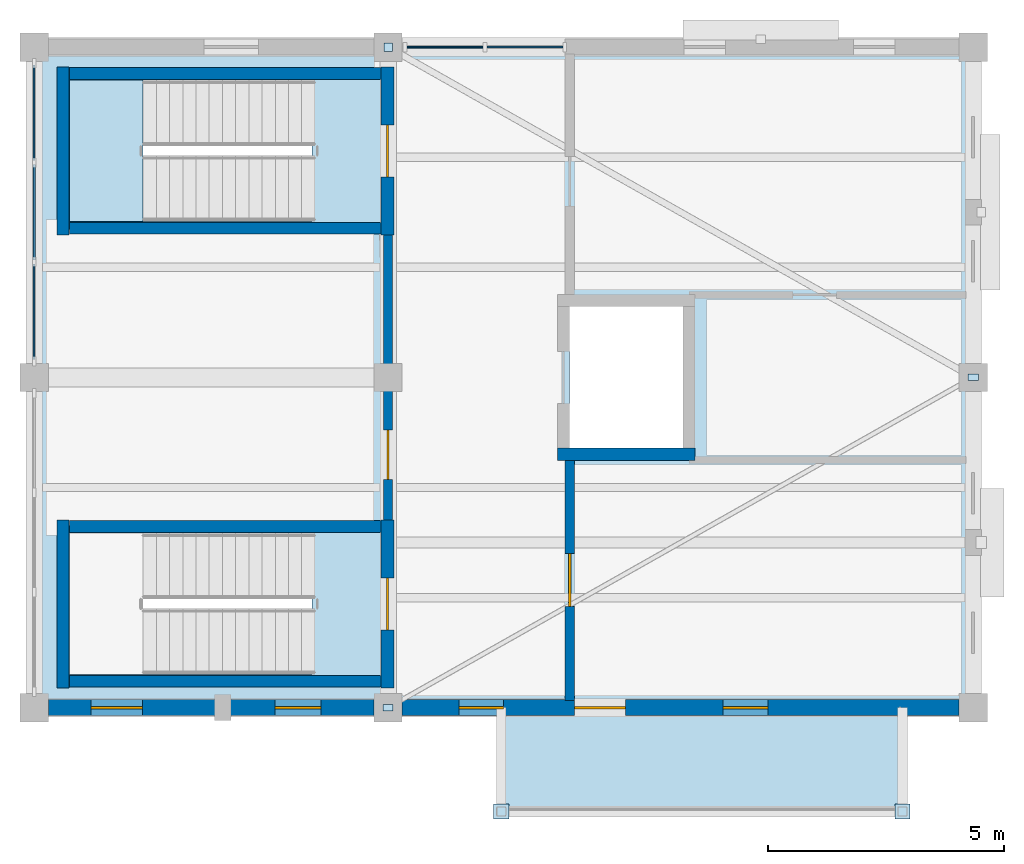
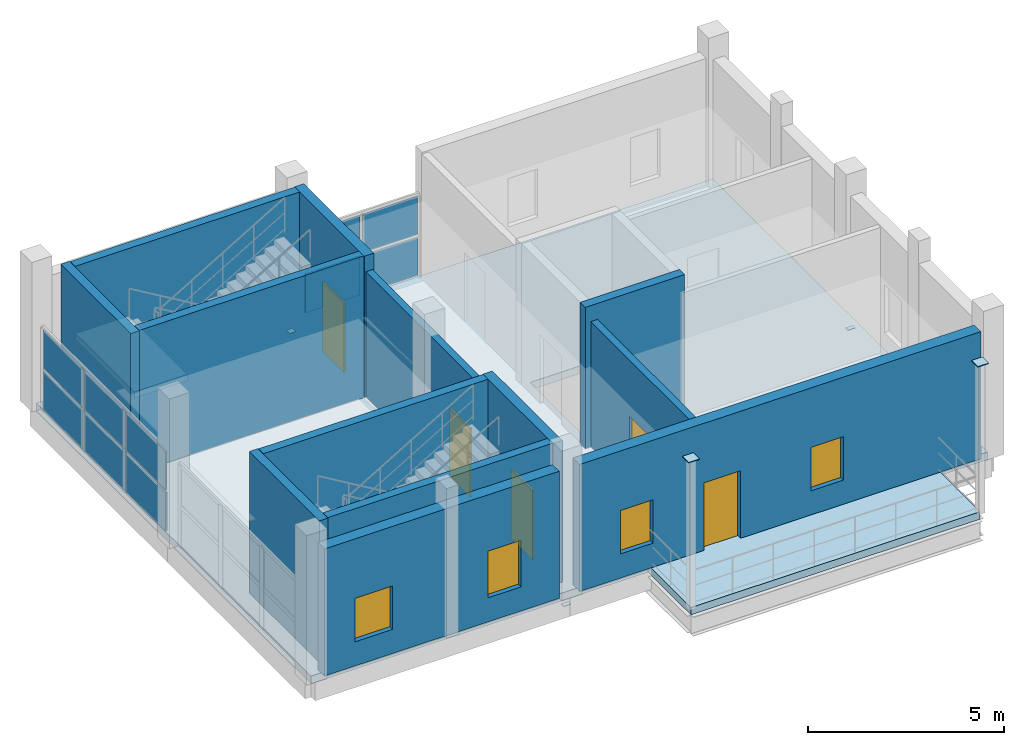
# One storey, part 2 of 4: 15 plates, 13 walls, 5 doors, 4 windows, 3 slabs, 9 openings, 3 elements without a shape of their own.
"""IFC4 building model written with IfcOpenShell, lengths in metres."""

from ifc_helpers import new_model, si_unit, direction, frame, frame_2d, origin, origin_2d, place, context, subcontext, project, spatial, polyline, rectangle, outline, extrude, material, layer, layer_set, type_object, element, fill, aggregate, save


model = new_model("IFC4")

# Units and contexts
model_context = context("Model", 3, precision=1e-05, world=origin(), true_north=direction((0.0, 1.0)))
body_context = subcontext(model_context, "Body", "Model", "MODEL_VIEW")
ifc_project = project(units=[si_unit("LENGTHUNIT", "METRE"), si_unit("AREAUNIT", "SQUARE_METRE"), si_unit("VOLUMEUNIT", "CUBIC_METRE"), si_unit("PLANEANGLEUNIT", "RADIAN"), si_unit("MASSUNIT", "GRAM", prefix="KILO")], contexts=[model_context])

# Site, building, storey
site_placement = place(None, origin())
site = spatial("IfcSite", under=ifc_project, at=site_placement, CompositionType="ELEMENT")
building_placement = place(site_placement, origin())
building = spatial("IfcBuilding", under=site, at=building_placement, Name="Trellovar Central Fire Station", CompositionType="ELEMENT")
storey_placement = place(building_placement, frame((0.0, 0.0, 17.39990234375)))
storey = spatial("IfcBuildingStorey", under=building, at=storey_placement, Name="L05", CompositionType="ELEMENT", Elevation=17.39990234375)

# Curtain wall, plates
ifc_material_1 = material(Name="Thermally broken bronze anodized aluminum", Category="aluminium")
ifc_layer_1 = layer(ifc_material_1, 0.159912109375)
ifc_layer_set_1 = layer_set([ifc_layer_1], Name="Thermally broken bronze anodized aluminum")
curtain_wall_type_1 = type_object("IfcCurtainWallType", Name="CW-09", PredefinedType="NOTDEFINED", material=ifc_layer_set_1)
curtain_wall_1_placement = place(storey_placement, origin())
curtain_wall_1 = element("IfcCurtainWall", 1, at=curtain_wall_1_placement, inside=storey, type_object=curtain_wall_type_1, Name="V2 L05 west drill yard curtain wall", PredefinedType="NOTDEFINED")
ifc_material_2 = material(Name="Double low-E solar control insulated glazing", Category="glass")
ifc_layer_2 = layer(ifc_material_2, 0.031982421875)
ifc_layer_set_2 = layer_set([ifc_layer_2], Name="Double low-E solar control insulated glazing")
plate_type_1 = type_object("IfcPlateType", Name="CWP-GL1", PredefinedType="CURTAIN_PANEL", material=ifc_layer_set_2)
plate_1_placement = place(storey_placement, frame((141.10009765625, 67.393310546875, 1.31494140625), z_axis=(0.0, 0.0, 1.0), x_axis=(0.0, 1.0, 0.0)))
plate_1 = element("IfcPlate", 2, at=plate_1_placement, type_object=plate_type_1, Name="CW3-L05-0167 panel 1-2", PredefinedType="CURTAIN_PANEL", context=body_context, shape_type="SweptSolid", body=[
    extrude(rectangle(XDim=2.026611328125, YDim=0.031982421875, at=origin_2d()), origin(), (0.0, 0.0, 1.0), 1.195068359375),
])
ifc_material_3 = material(Name="Double low-E solar control insulated glazing", Category="glass")
ifc_layer_3 = layer(ifc_material_3, 0.035888671875)
ifc_layer_set_3 = layer_set([ifc_layer_3], Name="Double low-E solar control insulated glazing")
plate_type_2 = type_object("IfcPlateType", Name="CWP-GL2", PredefinedType="CURTAIN_PANEL", material=ifc_layer_set_3)
plate_2_placement = place(storey_placement, frame((141.10009765625, 69.5, 1.31494140625), z_axis=(0.0, 0.0, 1.0), x_axis=(0.0, 1.0, 0.0)))
plate_2 = element("IfcPlate", 3, at=plate_2_placement, type_object=plate_type_2, Name="CW3-L05-0167 panel 2-2", PredefinedType="CURTAIN_PANEL", context=body_context, shape_type="SweptSolid", body=[
    extrude(rectangle(XDim=2.026611328125, YDim=0.035888671875, at=origin_2d()), origin(), (0.0, 0.0, 1.0), 1.195068359375),
])

# Curtain wall, plate
ifc_material_4 = material(Name="Thermally broken bronze anodized aluminum", Category="aluminium")
ifc_layer_4 = layer(ifc_material_4, 0.159912109375)
ifc_layer_set_4 = layer_set([ifc_layer_4], Name="Thermally broken bronze anodized aluminum")
curtain_wall_type_2 = type_object("IfcCurtainWallType", Name="CW-08", PredefinedType="NOTDEFINED", material=ifc_layer_set_4)
curtain_wall_2_placement = place(storey_placement, origin())
curtain_wall_2 = element("IfcCurtainWall", 4, at=curtain_wall_2_placement, inside=storey, type_object=curtain_wall_type_2, Name="V2 L05 north lobby curtain wall", PredefinedType="NOTDEFINED")
ifc_material_5 = material(Name="Double low-E solar control insulated glazing", Category="glass")
ifc_layer_5 = layer(ifc_material_5, 0.033935546875)
ifc_layer_set_5 = layer_set([ifc_layer_5], Name="Double low-E solar control insulated glazing")
plate_type_3 = type_object("IfcPlateType", Name="CWP-GL3", PredefinedType="CURTAIN_PANEL", material=ifc_layer_set_5)
plate_3_placement = place(storey_placement, frame((151.50244140625, 73.0, 1.31494140625), z_axis=(0.0, 0.0, 1.0), x_axis=(-1.0, 0.0, 0.0)))
plate_3 = element("IfcPlate", 5, at=plate_3_placement, type_object=plate_type_3, Name="CW3-L05-0165 panel 1-2", PredefinedType="CURTAIN_PANEL", context=body_context, shape_type="SweptSolid", body=[
    extrude(rectangle(XDim=1.614990234375, YDim=0.033935546875, at=origin_2d()), origin(), (0.0, 0.0, 1.0), 1.195068359375),
])

# Plate
plate_4_placement = place(storey_placement, frame((141.10009765625, 71.606689453125, 1.31494140625), z_axis=(0.0, 0.0, 1.0), x_axis=(0.0, 1.0, 0.0)))
plate_4 = element("IfcPlate", 6, at=plate_4_placement, type_object=plate_type_3, Name="CW3-L05-0167 panel 3-2", PredefinedType="CURTAIN_PANEL", context=body_context, shape_type="SweptSolid", body=[
    extrude(rectangle(XDim=2.026611328125, YDim=0.033935546875, at=origin_2d()), origin(), (0.0, 0.0, 1.0), 1.195068359375),
])

ifc_material_6 = material(Name="Double low-E solar control insulated glazing", Category="glass")
ifc_layer_6 = layer(ifc_material_6, 0.030029296875)
ifc_layer_set_6 = layer_set([ifc_layer_6], Name="Double low-E solar control insulated glazing")
plate_type_4 = type_object("IfcPlateType", Name="CWP-GL4", PredefinedType="CURTAIN_PANEL", material=ifc_layer_set_6)
plate_5_placement = place(storey_placement, frame((149.8076171875, 73.0, 1.31494140625), z_axis=(0.0, 0.0, 1.0), x_axis=(-1.0, 0.0, 0.0)))
plate_5 = element("IfcPlate", 7, at=plate_5_placement, type_object=plate_type_4, Name="CW3-L05-0165 panel 2-2", PredefinedType="CURTAIN_PANEL", context=body_context, shape_type="SweptSolid", body=[
    extrude(rectangle(XDim=1.614990234375, YDim=0.030029296875, at=origin_2d()), origin(), (0.0, 0.0, 1.0), 1.195068359375),
])

ifc_material_7 = material(Name="Glazed ceramic trencadis and terracotta panel", Category="masonry")
ifc_layer_7 = layer(ifc_material_7, 0.048095703125)
ifc_layer_set_7 = layer_set([ifc_layer_7], Name="Glazed ceramic trencadis and terracotta panel")
plate_type_5 = type_object("IfcPlateType", Name="CWP-SP1", PredefinedType="CURTAIN_PANEL", material=ifc_layer_set_7)
plate_6_placement = place(storey_placement, frame((149.8076171875, 73.0, 0.0400390625), z_axis=(0.0, 0.0, 1.0), x_axis=(-1.0, 0.0, 0.0)))
plate_6 = element("IfcPlate", 8, at=plate_6_placement, type_object=plate_type_5, Name="CW3-L05-0165 panel 2-1", PredefinedType="CURTAIN_PANEL", context=body_context, shape_type="SweptSolid", body=[
    extrude(rectangle(XDim=1.614990234375, YDim=0.048095703125, at=origin_2d()), origin(), (0.0, 0.0, 1.0), 1.195068359375),
])

plate_7_placement = place(storey_placement, frame((141.10009765625, 69.5, 0.0400390625), z_axis=(0.0, 0.0, 1.0), x_axis=(0.0, 1.0, 0.0)))
plate_7 = element("IfcPlate", 9, at=plate_7_placement, type_object=plate_type_5, Name="CW3-L05-0167 panel 2-1", PredefinedType="CURTAIN_PANEL", context=body_context, shape_type="SweptSolid", body=[
    extrude(rectangle(XDim=2.026611328125, YDim=0.048095703125, at=origin_2d()), origin(), (0.0, 0.0, 1.0), 1.195068359375),
])

ifc_material_8 = material(Name="Glazed ceramic trencadis and terracotta panel", Category="masonry")
ifc_layer_8 = layer(ifc_material_8, 0.044921875)
ifc_layer_set_8 = layer_set([ifc_layer_8], Name="Glazed ceramic trencadis and terracotta panel")
plate_type_6 = type_object("IfcPlateType", Name="CWP-SP2", PredefinedType="CURTAIN_PANEL", material=ifc_layer_set_8)
plate_8_placement = place(storey_placement, frame((151.50244140625, 73.0, 0.0400390625), z_axis=(0.0, 0.0, 1.0), x_axis=(-1.0, 0.0, 0.0)))
plate_8 = element("IfcPlate", 10, at=plate_8_placement, type_object=plate_type_6, Name="CW3-L05-0165 panel 1-1", PredefinedType="CURTAIN_PANEL", context=body_context, shape_type="SweptSolid", body=[
    extrude(rectangle(XDim=1.614990234375, YDim=0.044921875, at=origin_2d()), origin(), (0.0, 0.0, 1.0), 1.195068359375),
])

aggregate(curtain_wall_2, [plate_8, plate_3, plate_6, plate_5])

plate_9_placement = place(storey_placement, frame((141.10009765625, 67.393310546875, 0.0400390625), z_axis=(0.0, 0.0, 1.0), x_axis=(0.0, 1.0, 0.0)))
plate_9 = element("IfcPlate", 11, at=plate_9_placement, type_object=plate_type_6, Name="CW3-L05-0167 panel 1-1", PredefinedType="CURTAIN_PANEL", context=body_context, shape_type="SweptSolid", body=[
    extrude(rectangle(XDim=2.026611328125, YDim=0.044921875, at=origin_2d()), origin(), (0.0, 0.0, 1.0), 1.195068359375),
])

plate_10_placement = place(storey_placement, frame((141.10009765625, 71.606689453125, 0.0400390625), z_axis=(0.0, 0.0, 1.0), x_axis=(0.0, 1.0, 0.0)))
plate_10 = element("IfcPlate", 12, at=plate_10_placement, type_object=plate_type_6, Name="CW3-L05-0167 panel 3-1", PredefinedType="CURTAIN_PANEL", context=body_context, shape_type="SweptSolid", body=[
    extrude(rectangle(XDim=2.026611328125, YDim=0.044921875, at=origin_2d()), origin(), (0.0, 0.0, 1.0), 1.195068359375),
])

aggregate(curtain_wall_1, [plate_9, plate_1, plate_7, plate_2, plate_10, plate_4])

# Plates
ifc_material_9 = material(Name="Steel ASTM A36", Category="steel")
ifc_layer_9 = layer(ifc_material_9, 0.02392578125)
ifc_layer_set_9 = layer_set([ifc_layer_9], Name="Steel ASTM A36")
plate_type_7 = type_object("IfcPlateType", Name="PLT-EP1", PredefinedType="SHEET", material=ifc_layer_set_9)
for number, where, z_axis, x_axis, name in (
    (13, (151.0, 56.800048828125, 4.63818359375), (0.0, 0.0, 1.0), (1.0, 0.0, 0.0), "HSS end-cap plate 105"),
    (14, (159.5, 56.800048828125, 4.63818359375), (0.0, 0.0, 1.0), (1.0, 0.0, 0.0), "HSS end-cap plate 106"),
):
    element("IfcPlate", number, at=place(storey_placement, frame(where, z_axis=z_axis, x_axis=x_axis)), inside=storey, type_object=plate_type_7, Name=name, PredefinedType="SHEET", context=body_context, shape_type="SweptSolid", body=[
        extrude(rectangle(XDim=0.320068359375, YDim=0.320068359375, at=origin_2d()), origin(), (0.0, 0.0, 1.0), 0.02392578125),
    ])
ifc_material_10 = material(Name="Steel ASTM A36", Category="steel")
ifc_layer_10 = layer(ifc_material_10, 0.01611328125)
ifc_layer_set_10 = layer_set([ifc_layer_10], Name="Steel ASTM A36")
plate_type_8 = type_object("IfcPlateType", Name="PLT-EP4", PredefinedType="SHEET", material=ifc_layer_set_10)
for number, where, z_axis, x_axis, name in (
    (15, (148.60009765625, 59.0, -0.39794921875), (0.0, 0.0, 1.0), (1.0, 0.0, 0.0), "HSS end-cap plate 537"),
    (16, (161.0, 66.0, -0.39794921875), (0.0, 0.0, 1.0), (1.0, 0.0, 0.0), "HSS end-cap plate 538"),
):
    element("IfcPlate", number, at=place(storey_placement, frame(where, z_axis=z_axis, x_axis=x_axis)), inside=storey, type_object=plate_type_8, Name=name, PredefinedType="SHEET", context=body_context, shape_type="SweptSolid", body=[
        extrude(rectangle(XDim=0.219970703125, YDim=0.139892578125, at=origin_2d()), origin(), (0.0, 0.0, 1.0), 0.01611328125),
    ])
ifc_material_11 = material(Name="Steel ASTM A36", Category="steel")
ifc_layer_11 = layer(ifc_material_11, 0.01611328125)
ifc_layer_set_11 = layer_set([ifc_layer_11], Name="Steel ASTM A36")
plate_type_9 = type_object("IfcPlateType", Name="PLT-EP5", PredefinedType="SHEET", material=ifc_layer_set_11)
plate_11_placement = place(storey_placement, frame((148.60009765625, 73.0, -0.39794921875), z_axis=(0.0, 0.0, 1.0), x_axis=(1.0, 0.0, 0.0)))
element("IfcPlate", 17, at=plate_11_placement, inside=storey, type_object=plate_type_9, Name="HSS end-cap plate 539", PredefinedType="SHEET", context=body_context, shape_type="SweptSolid", body=[
    extrude(rectangle(XDim=0.179931640625, YDim=0.179931640625, at=origin_2d()), origin(), (0.0, 0.0, 1.0), 0.01611328125),
])

# Slab
ifc_material_12 = material(Name="Concrete C40/50", Category="concrete")
ifc_layer_12 = layer(ifc_material_12, 0.239990234375)
ifc_layer_set_12 = layer_set([ifc_layer_12], Name="Concrete C40/50")
slab_type_1 = type_object("IfcSlabType", Name="SLB-FL240", PredefinedType="FLOOR", material=ifc_layer_set_12)
slab_1_placement = place(storey_placement, frame((0.0, 0.0, -0.239990234375)))
element("IfcSlab", 18, at=slab_1_placement, inside=storey, type_object=slab_type_1, Name="V2 Drill Tower L05 training deck slab", PredefinedType="FLOOR", context=body_context, shape_type="SweptSolid", body=[
    extrude(outline(polyline([(141.10009765625, 59.0), (161.0, 59.0), (161.0, 73.0), (141.10009765625, 73.0), (141.10009765625, 59.0)]), holes=[polyline([(146.989990234375, 62.699951171875), (141.85009765625, 62.699951171875), (141.85009765625, 59.699951171875), (146.989990234375, 59.699951171875), (146.989990234375, 62.699951171875)]), polyline([(146.989990234375, 72.300048828125), (141.85009765625, 72.300048828125), (141.85009765625, 69.300048828125), (146.989990234375, 69.300048828125), (146.989990234375, 72.300048828125)]), polyline([(152.449951171875, 64.5), (154.85009765625, 64.5), (154.85009765625, 67.5), (152.449951171875, 67.5), (152.449951171875, 64.5)])]), origin(), (0.0, 0.0, 1.0), 0.239990234375),
])

# Stair, slab
ifc_material_13 = material(Name="Concrete C40/50", Category="concrete")
stair_type = type_object("IfcStairType", Name="ST-R1661", PredefinedType="HALF_TURN_STAIR", material=ifc_material_13)
stair_placement = place(storey_placement, origin())
stair = element("IfcStair", 19, at=stair_placement, inside=storey, type_object=stair_type, Name="L05 Protected exit stair ST-06", PredefinedType="HALF_TURN_STAIR")
ifc_material_14 = material(Name="Concrete C40/50", Category="concrete")
ifc_layer_13 = layer(ifc_material_14, 0.199951171875)
ifc_layer_set_13 = layer_set([ifc_layer_13], Name="Concrete C40/50")
slab_type_2 = type_object("IfcSlabType", Name="SLB-LND", PredefinedType="LANDING", material=ifc_layer_set_13)
slab_2_placement = place(storey_placement, frame((0.0, 0.0, 2.125)))
slab_2 = element("IfcSlab", 20, at=slab_2_placement, type_object=slab_type_2, Name="ST-06 landing 1", PredefinedType="LANDING", context=body_context, shape_type="SweptSolid", body=[
    extrude(outline(polyline([(143.409912109375, 72.300048828125), (141.85009765625, 72.300048828125), (141.85009765625, 69.300048828125), (143.409912109375, 69.300048828125), (143.409912109375, 72.300048828125)])), origin(), (0.0, 0.0, 1.0), 0.2001953125),
])
aggregate(stair, [slab_2])

# Slab
ifc_material_15 = material(Name="Concrete C40/50", Category="concrete")
ifc_layer_14 = layer(ifc_material_15, 0.22998046875)
ifc_layer_set_14 = layer_set([ifc_layer_14], Name="Concrete C40/50")
slab_type_3 = type_object("IfcSlabType", Name="SLB-TER230", PredefinedType="FLOOR", material=ifc_layer_set_14)
slab_3_placement = place(storey_placement, frame((0.0, 0.0, -0.22998046875)))
element("IfcSlab", 21, at=slab_3_placement, inside=storey, type_object=slab_type_3, Name="V2 L05 walkable outdoor terrace slab", PredefinedType="FLOOR", context=body_context, shape_type="SweptSolid", body=[
    extrude(outline(polyline([(151.0, 56.800048828125), (159.5, 56.800048828125), (159.5, 59.0), (151.0, 59.0), (151.0, 56.800048828125)])), origin(), (0.0, 0.0, 1.0), 0.22998046875),
])

# Wall, openings, windows
ifc_material_16 = material(Name="Textured desert sandstone masonry", Category="masonry")
ifc_layer_15 = layer(ifc_material_16, 0.340087890625)
ifc_layer_set_15 = layer_set([ifc_layer_15], Name="Textured desert sandstone masonry")
wall_type_1 = type_object("IfcWallType", Name="EW-3", PredefinedType="STANDARD", material=ifc_layer_set_15)
wall_1_placement = place(storey_placement, frame((141.39990234375, 59.0, 0.0), z_axis=(0.0, 0.0, 1.0), x_axis=(1.0, 0.0, 0.0)))
wall_1 = element("IfcWall", 22, at=wall_1_placement, inside=storey, type_object=wall_type_1, Name="V2 L05 south west bay wall", PredefinedType="STANDARD", context=body_context, shape_type="SweptSolid", body=[
    extrude(rectangle(XDim=6.900146484375, YDim=0.340087890625, at=frame_2d((3.4501953125, 0.0))), origin(), (0.0, 0.0, 1.0), 3.9501953125),
])
opening_1_placement = place(wall_1_placement, frame((0.89990234375, 0.0, 0.75)))
opening_1 = element("IfcOpeningElement", 23, at=opening_1_placement, cuts=wall_1, Name="Opening W-17", PredefinedType="OPENING", context=body_context, shape_type="SweptSolid", body=[
    extrude(rectangle(XDim=1.10009765625, YDim=1.35009765625, at=frame_2d((0.550048828125, 0.675048828125))), frame((0.0, 0.179931640625, 0.0), z_axis=(0.0, -1.0, 0.0), x_axis=(1.0, 0.0, 0.0)), (0.0, 0.0, 1.0), 0.360107421875),
])
opening_2_placement = place(wall_1_placement, frame((4.800048828125, 0.0, 0.75)))
opening_2 = element("IfcOpeningElement", 24, at=opening_2_placement, cuts=wall_1, Name="Opening W-20", PredefinedType="OPENING", context=body_context, shape_type="SweptSolid", body=[
    extrude(rectangle(XDim=0.97998046875, YDim=1.449951171875, at=frame_2d((0.489990234375, 0.72509765625))), frame((0.0, 0.179931640625, 0.0), z_axis=(0.0, -1.0, 0.0), x_axis=(1.0, 0.0, 0.0)), (0.0, 0.0, 1.0), 0.360107421875),
])
ifc_material_17 = material(Name="Thermally broken bronze anodized aluminum", Category="aluminium")
window_type_1 = type_object("IfcWindowType", Name="WIN-17", PartitioningType="SINGLE_PANEL", PredefinedType="WINDOW", material=ifc_material_17)
window_1_placement = place(opening_1_placement, origin())
window_1 = element("IfcWindow", 25, at=window_1_placement, inside=storey, type_object=window_type_1, Name="L05 window W-17", OverallHeight=1.35009765625, OverallWidth=1.10009765625, PartitioningType="SINGLE_PANEL", PredefinedType="WINDOW", context=body_context, shape_type="SweptSolid", body=[
    extrude(rectangle(XDim=1.10009765625, YDim=1.35009765625, at=frame_2d((0.550048828125, 0.675048828125))), frame((0.0, 0.030029296875, 0.0), z_axis=(0.0, -1.0, 0.0), x_axis=(1.0, 0.0, 0.0)), (0.0, 0.0, 1.0), 0.06005859375),
])
fill(opening_1, window_1)
ifc_material_18 = material(Name="Thermally broken bronze anodized aluminum", Category="aluminium")
window_type_2 = type_object("IfcWindowType", Name="WIN-20", PartitioningType="SINGLE_PANEL", PredefinedType="WINDOW", material=ifc_material_18)
window_2_placement = place(opening_2_placement, origin())
window_2 = element("IfcWindow", 26, at=window_2_placement, inside=storey, type_object=window_type_2, Name="L05 window W-20", OverallHeight=1.449951171875, OverallWidth=0.97998046875, PartitioningType="SINGLE_PANEL", PredefinedType="WINDOW", context=body_context, shape_type="SweptSolid", body=[
    extrude(rectangle(XDim=0.97998046875, YDim=1.449951171875, at=frame_2d((0.489990234375, 0.72509765625))), frame((0.0, 0.030029296875, 0.0), z_axis=(0.0, -1.0, 0.0), x_axis=(1.0, 0.0, 0.0)), (0.0, 0.0, 1.0), 0.06005859375),
])
fill(opening_2, window_2)

# Wall, openings, door, windows
wall_2_placement = place(storey_placement, frame((148.89990234375, 59.0, 0.0), z_axis=(0.0, 0.0, 1.0), x_axis=(1.0, 0.0, 0.0)))
wall_2 = element("IfcWall", 27, at=wall_2_placement, inside=storey, type_object=wall_type_1, Name="V2 L05 south training deck wall", PredefinedType="STANDARD", context=body_context, shape_type="SweptSolid", body=[
    extrude(rectangle(XDim=11.800048828125, YDim=0.340087890625, at=frame_2d((5.89990234375, 0.0))), origin(), (0.0, 0.0, 1.0), 3.9501953125),
])
opening_3_placement = place(wall_2_placement, frame((3.64990234375, 0.0, 0.0)))
opening_3 = element("IfcOpeningElement", 28, at=opening_3_placement, cuts=wall_2, Name="Opening EX-3", PredefinedType="OPENING", context=body_context, shape_type="SweptSolid", body=[
    extrude(rectangle(XDim=1.080078125, YDim=2.10009765625, at=frame_2d((0.5400390625, 1.050048828125))), frame((0.0, 0.179931640625, 0.0), z_axis=(0.0, -1.0, 0.0), x_axis=(1.0, 0.0, 0.0)), (0.0, 0.0, 1.0), 0.360107421875),
])
opening_4_placement = place(wall_2_placement, frame((1.199951171875, 0.0, 0.75)))
opening_4 = element("IfcOpeningElement", 29, at=opening_4_placement, cuts=wall_2, Name="Opening W-05", PredefinedType="OPENING", context=body_context, shape_type="SweptSolid", body=[
    extrude(rectangle(XDim=0.949951171875, YDim=1.35009765625, at=frame_2d((0.47509765625, 0.675048828125))), frame((0.0, 0.179931640625, 0.0), z_axis=(0.0, -1.0, 0.0), x_axis=(1.0, 0.0, 0.0)), (0.0, 0.0, 1.0), 0.360107421875),
])
opening_5_placement = place(wall_2_placement, frame((6.800048828125, 0.0, 0.75)))
opening_5 = element("IfcOpeningElement", 30, at=opening_5_placement, cuts=wall_2, Name="Opening W-05", PredefinedType="OPENING", context=body_context, shape_type="SweptSolid", body=[
    extrude(rectangle(XDim=0.949951171875, YDim=1.35009765625, at=frame_2d((0.47509765625, 0.675048828125))), frame((0.0, 0.179931640625, 0.0), z_axis=(0.0, -1.0, 0.0), x_axis=(1.0, 0.0, 0.0)), (0.0, 0.0, 1.0), 0.360107421875),
])
ifc_material_19 = material(Name="Thermally broken bronze anodized aluminum", Category="aluminium")
door_type_1 = type_object("IfcDoorType", Name="DR-EXT3", OperationType="SINGLE_SWING_LEFT", PredefinedType="DOOR", material=ifc_material_19)
door_1_placement = place(opening_3_placement, frame((1.080078125, 0.0, 0.0), z_axis=(0.0, 0.0, 1.0), x_axis=(-1.0, 0.0, 0.0)))
door_1 = element("IfcDoor", 31, at=door_1_placement, inside=storey, type_object=door_type_1, Name="V2 L05 rappel training balcony door", OperationType="SINGLE_SWING_LEFT", OverallHeight=2.10009765625, OverallWidth=1.080078125, PredefinedType="DOOR", context=body_context, shape_type="SweptSolid", body=[
    extrude(rectangle(XDim=1.080078125, YDim=2.10009765625, at=frame_2d((0.5400390625, 1.050048828125))), frame((0.0, 0.02490234375, 0.0), z_axis=(0.0, -1.0, 0.0), x_axis=(1.0, 0.0, 0.0)), (0.0, 0.0, 1.0), 0.050048828125),
])
fill(opening_3, door_1)
ifc_material_20 = material(Name="Thermally broken bronze anodized aluminum", Category="aluminium")
window_type_3 = type_object("IfcWindowType", Name="WIN-05", PartitioningType="SINGLE_PANEL", PredefinedType="WINDOW", material=ifc_material_20)
window_3_placement = place(opening_4_placement, origin())
window_3 = element("IfcWindow", 32, at=window_3_placement, inside=storey, type_object=window_type_3, Name="V2 L05 bailout training window W", OverallHeight=1.35009765625, OverallWidth=0.949951171875, PartitioningType="SINGLE_PANEL", PredefinedType="WINDOW", context=body_context, shape_type="SweptSolid", body=[
    extrude(rectangle(XDim=0.949951171875, YDim=1.35009765625, at=frame_2d((0.47509765625, 0.675048828125))), frame((0.0, 0.030029296875, 0.0), z_axis=(0.0, -1.0, 0.0), x_axis=(1.0, 0.0, 0.0)), (0.0, 0.0, 1.0), 0.06005859375),
])
fill(opening_4, window_3)
window_4_placement = place(opening_5_placement, origin())
window_4 = element("IfcWindow", 33, at=window_4_placement, inside=storey, type_object=window_type_3, Name="V2 L05 bailout training window E", OverallHeight=1.35009765625, OverallWidth=0.949951171875, PartitioningType="SINGLE_PANEL", PredefinedType="WINDOW", context=body_context, shape_type="SweptSolid", body=[
    extrude(rectangle(XDim=0.949951171875, YDim=1.35009765625, at=frame_2d((0.47509765625, 0.675048828125))), frame((0.0, 0.030029296875, 0.0), z_axis=(0.0, -1.0, 0.0), x_axis=(1.0, 0.0, 0.0)), (0.0, 0.0, 1.0), 0.06005859375),
])
fill(opening_5, window_4)

# Wall, opening, door
ifc_material_21 = material(Name="Acoustic concrete masonry unit", Category="masonry")
ifc_layer_16 = layer(ifc_material_21, 0.199951171875)
ifc_layer_set_16 = layer_set([ifc_layer_16], Name="Acoustic concrete masonry unit")
wall_type_2 = type_object("IfcWallType", Name="PT-1", PredefinedType="PARTITIONING", material=ifc_layer_set_16)
wall_3_placement = place(storey_placement, frame((148.60009765625, 62.840087890625, 0.0), z_axis=(0.0, 0.0, 1.0), x_axis=(0.0, 1.0, 0.0)))
wall_3 = element("IfcWall", 34, at=wall_3_placement, inside=storey, type_object=wall_type_2, Name="V2 L05 west lab corridor wall", PredefinedType="PARTITIONING", context=body_context, shape_type="SweptSolid", body=[
    extrude(rectangle(XDim=6.31982421875, YDim=0.199951171875, at=frame_2d((3.159912109375, 0.0))), origin(), (0.0, 0.0, 1.0), 3.900146484375),
])
opening_6_placement = place(wall_3_placement, frame((1.0, 0.0, 0.0)))
opening_6 = element("IfcOpeningElement", 35, at=opening_6_placement, cuts=wall_3, Name="Opening ID-5", PredefinedType="OPENING", context=body_context, shape_type="SweptSolid", body=[
    extrude(rectangle(XDim=1.050048828125, YDim=2.139892578125, at=frame_2d((0.52490234375, 1.06982421875))), frame((0.0, 0.10986328125, 0.0), z_axis=(0.0, -1.0, 0.0), x_axis=(1.0, 0.0, 0.0)), (0.0, 0.0, 1.0), 0.219970703125),
])
ifc_material_22 = material(Name="Hollow galvanized steel with acoustic core", Category="steel")
door_type_2 = type_object("IfcDoorType", Name="DR-INT5", OperationType="SINGLE_SWING_LEFT", PredefinedType="DOOR", material=ifc_material_22)
door_2_placement = place(opening_6_placement, origin())
door_2 = element("IfcDoor", 36, at=door_2_placement, inside=storey, type_object=door_type_2, Name="V2 L05 west training lab door", OperationType="SINGLE_SWING_LEFT", OverallHeight=2.139892578125, OverallWidth=1.050048828125, PredefinedType="DOOR", context=body_context, shape_type="SweptSolid", body=[
    extrude(rectangle(XDim=1.050048828125, YDim=2.139892578125, at=frame_2d((0.52490234375, 1.06982421875))), frame((0.0, 0.02490234375, 0.0), z_axis=(0.0, -1.0, 0.0), x_axis=(1.0, 0.0, 0.0)), (0.0, 0.0, 1.0), 0.050048828125),
])
fill(opening_6, door_2)

wall_4_placement = place(storey_placement, frame((152.449951171875, 59.14990234375, 0.0), z_axis=(0.0, 0.0, 1.0), x_axis=(0.0, 1.0, 0.0)))
wall_4 = element("IfcWall", 37, at=wall_4_placement, inside=storey, type_object=wall_type_2, Name="V2 L05 south deck corridor wall", PredefinedType="PARTITIONING", context=body_context, shape_type="SweptSolid", body=[
    extrude(rectangle(XDim=5.22021484375, YDim=0.199951171875, at=frame_2d((2.610107421875, 0.0))), origin(), (0.0, 0.0, 1.0), 3.900146484375),
])
opening_7_placement = place(wall_4_placement, frame((2.0, 0.0, 0.0)))
opening_7 = element("IfcOpeningElement", 38, at=opening_7_placement, cuts=wall_4, Name="Opening ID-12", PredefinedType="OPENING", context=body_context, shape_type="SweptSolid", body=[
    extrude(rectangle(XDim=1.1201171875, YDim=2.14990234375, at=frame_2d((0.56005859375, 1.074951171875))), frame((0.0, 0.10986328125, 0.0), z_axis=(0.0, -1.0, 0.0), x_axis=(1.0, 0.0, 0.0)), (0.0, 0.0, 1.0), 0.219970703125),
])
ifc_material_23 = material(Name="Hollow galvanized steel with acoustic core", Category="steel")
door_type_3 = type_object("IfcDoorType", Name="DR-INT12", OperationType="SINGLE_SWING_LEFT", PredefinedType="DOOR", material=ifc_material_23)
door_3_placement = place(opening_7_placement, origin())
door_3 = element("IfcDoor", 39, at=door_3_placement, inside=storey, type_object=door_type_3, Name="V2 L05 south training deck door", OperationType="SINGLE_SWING_RIGHT", OverallHeight=2.14990234375, OverallWidth=1.1201171875, PredefinedType="DOOR", context=body_context, shape_type="SweptSolid", body=[
    extrude(rectangle(XDim=1.1201171875, YDim=2.14990234375, at=frame_2d((0.56005859375, 1.074951171875))), frame((0.0, 0.02490234375, 0.0), z_axis=(0.0, -1.0, 0.0), x_axis=(1.0, 0.0, 0.0)), (0.0, 0.0, 1.0), 0.050048828125),
])
fill(opening_7, door_3)

ifc_material_24 = material(Name="Concrete C40/50", Category="concrete")
ifc_layer_17 = layer(ifc_material_24, 0.280029296875)
ifc_layer_set_17 = layer_set([ifc_layer_17], Name="Concrete C40/50")
wall_type_3 = type_object("IfcWallType", Name="SW-1", PredefinedType="SHEAR", material=ifc_layer_set_17)
wall_5_placement = place(storey_placement, frame((148.590087890625, 62.97998046875, 0.0), z_axis=(0.0, 0.0, 1.0), x_axis=(0.0, -1.0, 0.0)))
wall_5 = element("IfcWall", 40, at=wall_5_placement, inside=storey, type_object=wall_type_3, Name="Stair ST-05 L05 front corridor wall", PredefinedType="SHEAR", context=body_context, shape_type="SweptSolid", body=[
    extrude(rectangle(XDim=3.56005859375, YDim=0.280029296875, at=frame_2d((1.780029296875, 0.0))), origin(), (0.0, 0.0, 1.0), 4.400146484375),
])
opening_8_placement = place(wall_5_placement, frame((1.22998046875, 0.0, 0.0)))
opening_8 = element("IfcOpeningElement", 41, at=opening_8_placement, cuts=wall_5, Name="Opening SD-2", PredefinedType="OPENING", context=body_context, shape_type="SweptSolid", body=[
    extrude(rectangle(XDim=1.10009765625, YDim=2.14990234375, at=frame_2d((0.550048828125, 1.074951171875))), frame((0.0, 0.14990234375, 0.0), z_axis=(0.0, -1.0, 0.0), x_axis=(1.0, 0.0, 0.0)), (0.0, 0.0, 1.0), 0.300048828125),
])
ifc_material_25 = material(Name="Hollow galvanized steel with acoustic core", Category="steel")
door_type_4 = type_object("IfcDoorType", Name="DR-STR2", OperationType="SINGLE_SWING_LEFT", PredefinedType="DOOR", material=ifc_material_25)
door_4_placement = place(opening_8_placement, origin())
door_4 = element("IfcDoor", 42, at=door_4_placement, inside=storey, type_object=door_type_4, Name="Stair ST-05 L05 fire door", OperationType="SINGLE_SWING_LEFT", OverallHeight=2.14990234375, OverallWidth=1.10009765625, PredefinedType="DOOR", context=body_context, shape_type="SweptSolid", body=[
    extrude(rectangle(XDim=1.10009765625, YDim=2.14990234375, at=frame_2d((0.550048828125, 1.074951171875))), frame((0.0, 0.02490234375, 0.0), z_axis=(0.0, -1.0, 0.0), x_axis=(1.0, 0.0, 0.0)), (0.0, 0.0, 1.0), 0.050048828125),
])
fill(opening_8, door_4)

wall_6_placement = place(storey_placement, frame((148.590087890625, 72.580078125, 0.0), z_axis=(0.0, 0.0, 1.0), x_axis=(0.0, -1.0, 0.0)))
wall_6 = element("IfcWall", 43, at=wall_6_placement, inside=storey, type_object=wall_type_3, Name="Stair ST-06 L05 front corridor wall", PredefinedType="SHEAR", context=body_context, shape_type="SweptSolid", body=[
    extrude(rectangle(XDim=3.56005859375, YDim=0.280029296875, at=frame_2d((1.780029296875, 0.0))), origin(), (0.0, 0.0, 1.0), 4.400146484375),
])
opening_9_placement = place(wall_6_placement, frame((1.22998046875, 0.0, 0.0)))
opening_9 = element("IfcOpeningElement", 44, at=opening_9_placement, cuts=wall_6, Name="Opening SD-2", PredefinedType="OPENING", context=body_context, shape_type="SweptSolid", body=[
    extrude(rectangle(XDim=1.10009765625, YDim=2.14990234375, at=frame_2d((0.550048828125, 1.074951171875))), frame((0.0, 0.14990234375, 0.0), z_axis=(0.0, -1.0, 0.0), x_axis=(1.0, 0.0, 0.0)), (0.0, 0.0, 1.0), 0.300048828125),
])
door_5_placement = place(opening_9_placement, origin())
door_5 = element("IfcDoor", 45, at=door_5_placement, inside=storey, type_object=door_type_4, Name="Stair ST-06 L05 fire door", OperationType="SINGLE_SWING_LEFT", OverallHeight=2.14990234375, OverallWidth=1.10009765625, PredefinedType="DOOR", context=body_context, shape_type="SweptSolid", body=[
    extrude(rectangle(XDim=1.10009765625, YDim=2.14990234375, at=frame_2d((0.550048828125, 1.074951171875))), frame((0.0, 0.02490234375, 0.0), z_axis=(0.0, -1.0, 0.0), x_axis=(1.0, 0.0, 0.0)), (0.0, 0.0, 1.0), 0.050048828125),
])
fill(opening_9, door_5)

# Walls
ifc_material_26 = material(Name="Concrete C40/50", Category="concrete")
ifc_layer_18 = layer(ifc_material_26, 0.25)
ifc_layer_set_18 = layer_set([ifc_layer_18], Name="Concrete C40/50")
wall_type_4 = type_object("IfcWallType", Name="SW-2", PredefinedType="SHEAR", material=ifc_layer_set_18)
wall_7_placement = place(storey_placement, frame((141.7099609375, 59.419921875, 0.0), z_axis=(0.0, 0.0, 1.0), x_axis=(0.0, 1.0, 0.0)))
element("IfcWall", 46, at=wall_7_placement, inside=storey, type_object=wall_type_4, Name="Stair ST-05 L05 rear wall", PredefinedType="SHEAR", context=body_context, shape_type="SweptSolid", body=[
    extrude(rectangle(XDim=3.56005859375, YDim=0.25, at=frame_2d((1.780029296875, 0.0))), origin(), (0.0, 0.0, 1.0), 4.400146484375),
])
for number, where, z_axis, x_axis, name in (
    (47, (148.449951171875, 62.840087890625, 0.0), (0.0, 0.0, 1.0), (-1.0, 0.0, 0.0), "Stair ST-05 L05 left wall"),
    (48, (141.85009765625, 59.56005859375, 0.0), (0.0, 0.0, 1.0), (1.0, 0.0, 0.0), "Stair ST-05 L05 right wall"),
):
    element("IfcWall", number, at=place(storey_placement, frame(where, z_axis=z_axis, x_axis=x_axis)), inside=storey, type_object=wall_type_4, Name=name, PredefinedType="SHEAR", context=body_context, shape_type="SweptSolid", body=[
        extrude(rectangle(XDim=6.599853515625, YDim=0.25, at=frame_2d((3.2998046875, 0.0))), origin(), (0.0, 0.0, 1.0), 4.400146484375),
    ])
wall_8_placement = place(storey_placement, frame((141.7099609375, 69.02001953125, 0.0), z_axis=(0.0, 0.0, 1.0), x_axis=(0.0, 1.0, 0.0)))
element("IfcWall", 49, at=wall_8_placement, inside=storey, type_object=wall_type_4, Name="Stair ST-06 L05 rear wall", PredefinedType="SHEAR", context=body_context, shape_type="SweptSolid", body=[
    extrude(rectangle(XDim=3.56005859375, YDim=0.25, at=frame_2d((1.780029296875, 0.0))), origin(), (0.0, 0.0, 1.0), 4.400146484375),
])
for number, where, z_axis, x_axis, name in (
    (50, (148.449951171875, 72.43994140625, 0.0), (0.0, 0.0, 1.0), (-1.0, 0.0, 0.0), "Stair ST-06 L05 left wall"),
    (51, (141.85009765625, 69.159912109375, 0.0), (0.0, 0.0, 1.0), (1.0, 0.0, 0.0), "Stair ST-06 L05 right wall"),
):
    element("IfcWall", number, at=place(storey_placement, frame(where, z_axis=z_axis, x_axis=x_axis)), inside=storey, type_object=wall_type_4, Name=name, PredefinedType="SHEAR", context=body_context, shape_type="SweptSolid", body=[
        extrude(rectangle(XDim=6.599853515625, YDim=0.25, at=frame_2d((3.2998046875, 0.0))), origin(), (0.0, 0.0, 1.0), 4.400146484375),
    ])
ifc_material_27 = material(Name="Concrete C40/50", Category="concrete")
ifc_layer_19 = layer(ifc_material_27, 0.260009765625)
ifc_layer_set_19 = layer_set([ifc_layer_19], Name="Concrete C40/50")
wall_type_5 = type_object("IfcWallType", Name="SW-4", PredefinedType="SHEAR", material=ifc_layer_set_19)
wall_9_placement = place(storey_placement, frame((152.18994140625, 64.3701171875, 0.0), z_axis=(0.0, 0.0, 1.0), x_axis=(1.0, 0.0, 0.0)))
element("IfcWall", 52, at=wall_9_placement, inside=storey, type_object=wall_type_5, Name="Lift EL-04 L05 S wall", PredefinedType="SHEAR", context=body_context, shape_type="SweptSolid", body=[
    extrude(rectangle(XDim=2.920166015625, YDim=0.260009765625, at=frame_2d((1.4599609375, 0.0))), origin(), (0.0, 0.0, 1.0), 4.400146484375),
])

save(model, "model.ifc")
